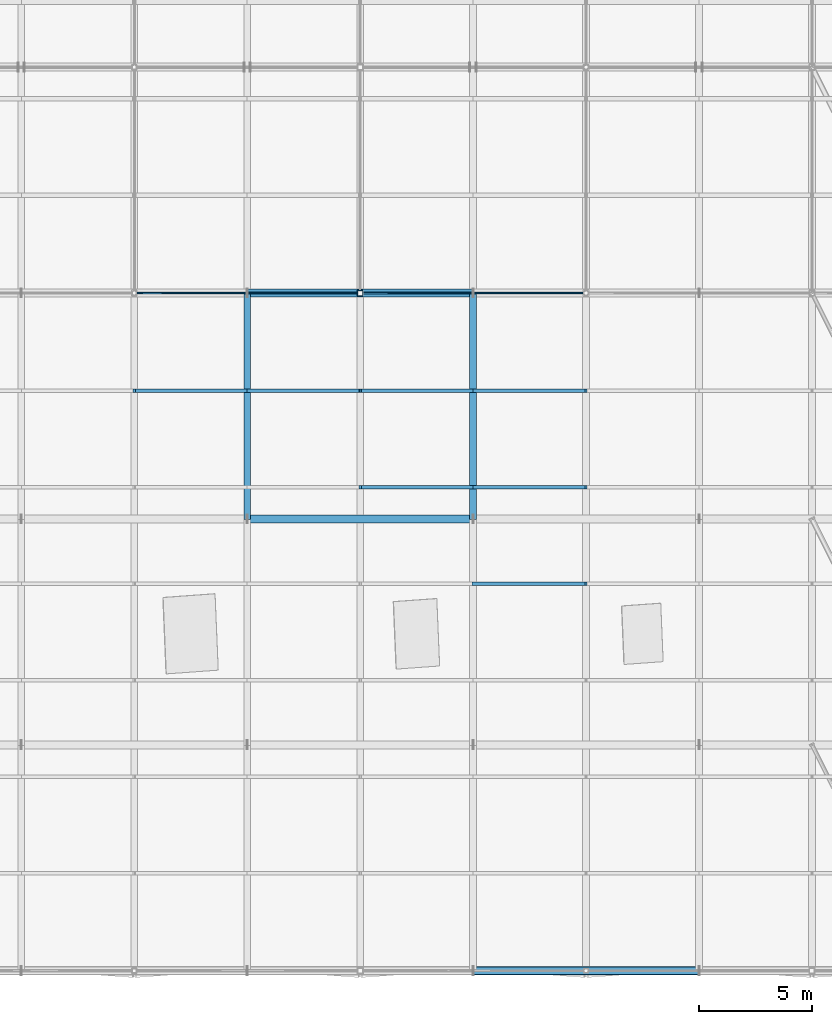
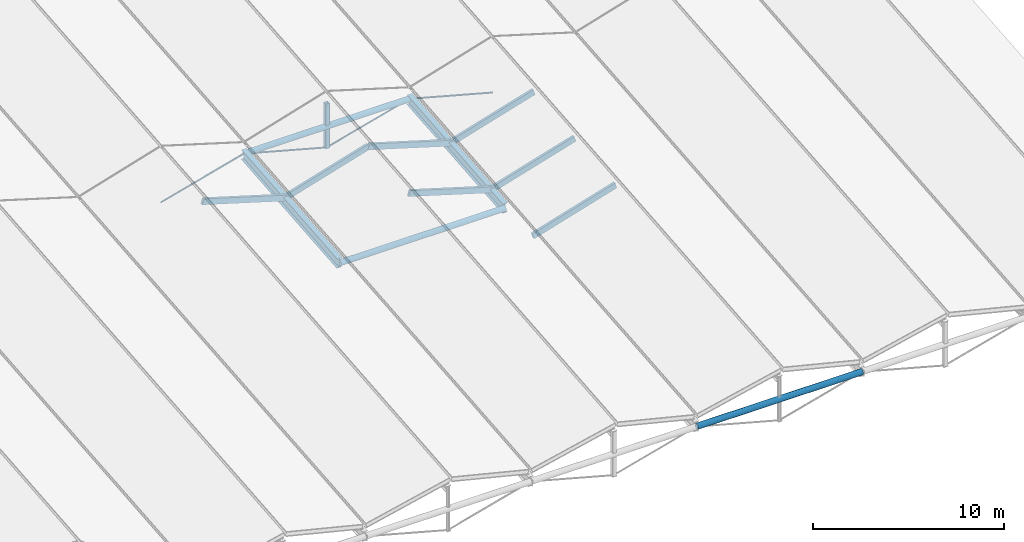
# One storey, part 17 of 90: 12 members, 5 beams.
"""IFC4 building model written with IfcOpenShell, lengths in metres."""

from ifc_helpers import new_model, si_unit, direction, frame, origin, origin_2d, place, context, subcontext, project, spatial, rectangle, hollow_rectangle, circle, hollow_circle, i_section, extrude, material, material_profile, profile_set, type_object, element, save


model = new_model("IFC4")

# Units and contexts
model_context = context("Model", 3, precision=1e-05, world=origin(), true_north=direction((0.0, 1.0)))
body_context = subcontext(model_context, "Body", "Model", "MODEL_VIEW")
ifc_project = project(units=[si_unit("LENGTHUNIT", "METRE"), si_unit("AREAUNIT", "SQUARE_METRE"), si_unit("VOLUMEUNIT", "CUBIC_METRE"), si_unit("PLANEANGLEUNIT", "RADIAN"), si_unit("MASSUNIT", "GRAM", prefix="KILO"), si_unit("THERMODYNAMICTEMPERATUREUNIT", "KELVIN"), si_unit("POWERUNIT", "WATT")], contexts=[model_context])

# Site, building, storey
site_placement = place(None, origin())
site = spatial("IfcSite", under=ifc_project, at=site_placement, CompositionType="ELEMENT")
building_placement = place(site_placement, origin())
building = spatial("IfcBuilding", under=site, at=building_placement, Name="Korenveer Ferry Terminal", CompositionType="ELEMENT")
storey_placement = place(building_placement, frame((0.0, 0.0, 22.199951171875)))
storey = spatial("IfcBuildingStorey", under=building, at=storey_placement, Name="RF", CompositionType="ELEMENT", Elevation=22.199951171875)

# Beams
ifc_material_1 = material(Name="Steel S355", Category="steel")
ifc_material_profile_1 = material_profile(ifc_material_1, i_section(OverallWidth=0.300048828125, OverallDepth=0.64990234375, WebThickness=0.01611328125, FlangeThickness=0.031005859375, FilletRadius=0.027099609375, at=origin_2d()), Name="HEB 650")
ifc_profile_set_1 = profile_set([ifc_material_profile_1], Name="Steel S355")
beam_type_1 = type_object("IfcBeamType", Name="STR-BM-HEB650", PredefinedType="BEAM", material=ifc_profile_set_1)
for number, where, z_axis, x_axis, name in (
    (1, (83.0, 40.0, -9.585693359375), (0.0, 0.995903364261, 0.090423940715), (-1.0, 0.0, 0.0), "Folded roof valley girder 35"),
    (2, (93.0, 40.0, -9.585693359375), (0.0, 0.995903364261, 0.090423940715), (-1.0, 0.0, 0.0), "Folded roof valley girder 40"),
):
    element("IfcBeam", number, at=place(storey_placement, frame(where, z_axis=z_axis, x_axis=x_axis)), inside=storey, type_object=beam_type_1, Name=name, PredefinedType="BEAM", context=body_context, shape_type="SweptSolid", body=[
        extrude(i_section(OverallWidth=0.300048828125, OverallDepth=0.64990234375, WebThickness=0.01611328125, FlangeThickness=0.031005859375, FilletRadius=0.027099609375, at=origin_2d()), origin(), (0.0, 0.0, 1.0), 10.041015625),
    ])

# Members
ifc_material_2 = material(Name="High-strength steel S460", Category="steel")
ifc_material_profile_2 = material_profile(ifc_material_2, circle(Radius=0.0380859375, at=origin_2d()), Name="ROD D76")
ifc_profile_set_2 = profile_set([ifc_material_profile_2], Name="High-strength steel S460")
member_type_1 = type_object("IfcMemberType", Name="STR-CBL-D76", PredefinedType="USERDEFINED", material=ifc_profile_set_2)
for number, where, z_axis, x_axis, name in (
    (3, (83.0, 50.0, -8.677734375), (-0.965436200058, 0.0, -0.260639489752), (0.0, -1.0, 0.0), "Roof tension tie cable 20"),
    (4, (83.0, 50.0, -8.677734375), (0.965436200058, 0.0, -0.260639489752), (0.0, 1.0, 0.0), "Roof tension tie cable 21"),
    (5, (93.0, 50.0, -8.677734375), (-0.965436200058, 0.0, -0.260639489752), (0.0, -1.0, 0.0), "Roof tension tie cable 22"),
    (6, (93.0, 50.0, -8.677734375), (0.965436200058, 0.0, -0.260639489752), (0.0, 1.0, 0.0), "Roof tension tie cable 23"),
):
    element("IfcMember", number, at=place(storey_placement, frame(where, z_axis=z_axis, x_axis=x_axis)), inside=storey, type_object=member_type_1, Name=name, ObjectType="CABLE", PredefinedType="USERDEFINED", context=body_context, shape_type="SweptSolid", body=[
        extrude(circle(Radius=0.0380859375, at=origin_2d()), origin(), (0.0, 0.0, 1.0), 5.178955078125),
    ])
ifc_material_3 = material(Name="Glulam GL28h", Category="wood")
ifc_material_profile_3 = material_profile(ifc_material_3, rectangle(XDim=0.159912109375, YDim=0.360107421875, at=origin_2d()), Name="GL 160x360")
ifc_profile_set_3 = profile_set([ifc_material_profile_3], Name="Glulam GL28h")
member_type_2 = type_object("IfcMemberType", Name="STR-PUR-GL160", PredefinedType="PURLIN", material=ifc_profile_set_3)
for number, where, z_axis, x_axis, name in (
    (7, (78.0, 45.678466796875, -7.339111328125), (0.957323074362, 0.0, -0.289019949647), (0.0, 1.0, 0.0), "Folded roof glulam purlin 84"),
    (8, (83.0, 45.678466796875, -8.8486328125), (0.957323074362, 0.0, 0.289019949647), (0.0, 1.0, 0.0), "Folded roof glulam purlin 114"),
    (9, (88.0, 41.4072265625, -7.726806640625), (0.957310140112, 0.0, -0.289062788401), (0.0, 1.0, 0.0), "Folded roof glulam purlin 119"),
    (10, (88.0, 45.678466796875, -7.339111328125), (0.957323074362, 0.0, -0.289019949647), (0.0, 1.0, 0.0), "Folded roof glulam purlin 120"),
    (11, (93.0, 37.1357421875, -9.62451171875), (0.957310140112, 0.0, 0.289062788401), (0.0, 1.0, 0.0), "Folded roof glulam purlin 148"),
    (12, (93.0, 41.4072265625, -9.236572265625), (0.957310140112, 0.0, 0.289062788401), (0.0, 1.0, 0.0), "Folded roof glulam purlin 149"),
    (13, (93.0, 45.678466796875, -8.8486328125), (0.957323074362, 0.0, 0.289019949647), (0.0, 1.0, 0.0), "Folded roof glulam purlin 150"),
):
    element("IfcMember", number, at=place(storey_placement, frame(where, z_axis=z_axis, x_axis=x_axis)), inside=storey, type_object=member_type_2, Name=name, PredefinedType="PURLIN", context=body_context, shape_type="SweptSolid", body=[
        extrude(rectangle(XDim=0.159912109375, YDim=0.360107421875, at=origin_2d()), origin(), (0.0, 0.0, 1.0), 5.222900390625),
    ])

# Beams
ifc_material_profile_4 = material_profile(ifc_material_1, hollow_circle(Radius=0.177734375, WallThickness=0.01611328125, at=origin_2d()), Name="CHS 355.6x16")
ifc_profile_set_4 = profile_set([ifc_material_profile_4], Name="Steel S355")
beam_type_2 = type_object("IfcBeamType", Name="STR-RFG-CHS355", PredefinedType="USERDEFINED", material=ifc_profile_set_4)
for number, where, z_axis, x_axis, name in (
    (14, (93.02001953125, 20.0, -11.401611328125), (1.0, 0.0, 0.0), (0.0, 1.0, 0.0), "Roof transverse tie girder 79"),
    (15, (83.02001953125, 40.0, -9.585693359375), (1.0, 0.0, 0.0), (0.0, 1.0, 0.0), "Roof transverse tie girder 92"),
    (16, (83.02001953125, 50.0, -8.677734375), (1.0, 0.0, 0.0), (0.0, 1.0, 0.0), "Roof transverse tie girder 99"),
):
    element("IfcBeam", number, at=place(storey_placement, frame(where, z_axis=z_axis, x_axis=x_axis)), inside=storey, type_object=beam_type_2, Name=name, ObjectType="ROOF GIRDER", PredefinedType="USERDEFINED", context=body_context, shape_type="SweptSolid", body=[
        extrude(hollow_circle(Radius=0.177734375, WallThickness=0.01611328125, at=origin_2d()), origin(), (0.0, 0.0, 1.0), 9.9599609375),
    ])

# Member
ifc_material_profile_5 = material_profile(ifc_material_1, hollow_rectangle(XDim=0.25, YDim=0.25, WallThickness=0.012451171875, InnerFilletRadius=0.012451171875, OuterFilletRadius=0.018798828125, at=origin_2d()), Name="SHS 250x250x12.5")
ifc_profile_set_5 = profile_set([ifc_material_profile_5], Name="Steel S355")
member_type_3 = type_object("IfcMemberType", Name="STR-STT-SHS250", PredefinedType="STRUT", material=ifc_profile_set_5)
member_placement = place(storey_placement, frame((88.0, 50.0, -10.027587890625), z_axis=(0.0, 0.0, 1.0), x_axis=(1.0, 0.0, 0.0)))
element("IfcMember", 17, at=member_placement, inside=storey, type_object=member_type_3, Name="Roof king-post strut STTKP-Y50-B3", PredefinedType="STRUT", context=body_context, shape_type="SweptSolid", body=[
    extrude(hollow_rectangle(XDim=0.25, YDim=0.25, WallThickness=0.012451171875, InnerFilletRadius=0.012451171875, OuterFilletRadius=0.018798828125, at=origin_2d()), origin(), (0.0, 0.0, 1.0), 2.859619140625),
])

save(model, "model.ifc")
